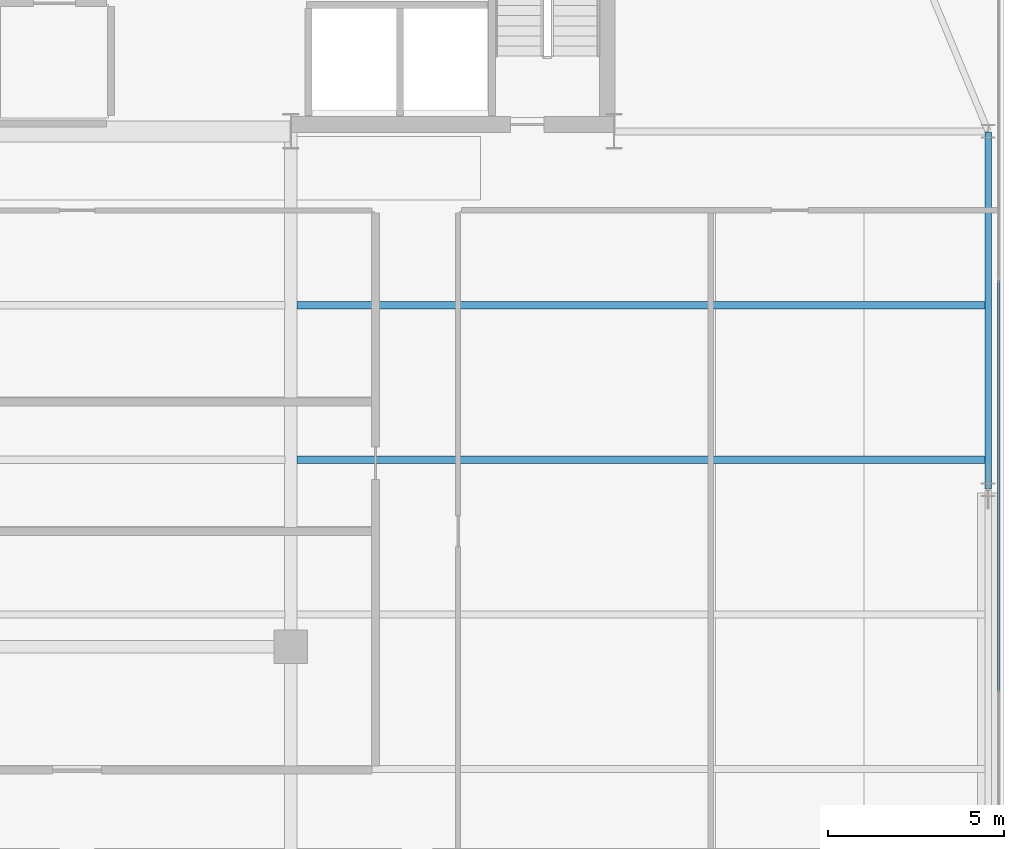
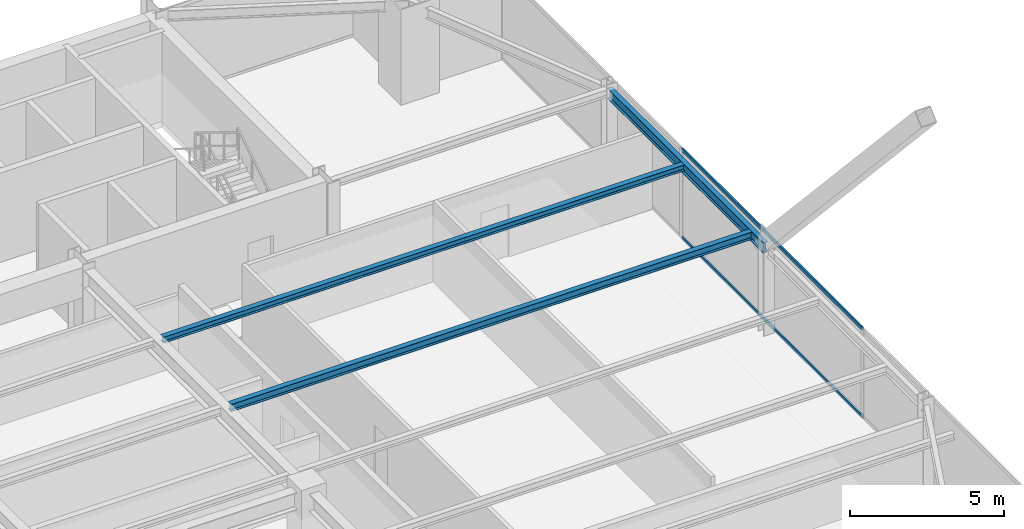
# One storey, part 19 of 37: 3 beams, 2 members, 1 element without a shape of its own.
"""IFC4 building model written with IfcOpenShell, lengths in metres."""

import ifcopenshell
import ifcopenshell.guid

model = None  # the IFC model being written
_history = None  # IfcOwnerHistory: only IFC2X3 demands one
_inside = {}  # id of a spatial element -> (the spatial element, [elements in it])
_under = {}  # id of a project, library or spatial element -> (it, [spatial elements below it])
_declared = {}  # id of a project -> (the project, [libraries it declares])
_typed = {}  # id of a type object -> (the type object, [elements of that type])
_made_of = {}  # id of a material, layer set ... -> (it, [elements and type objects made of it])


def new_model(schema):
    """Start an empty IFC model of exactly this schema.

    Asked for "IFC4X3", IfcOpenShell would pick the latest addendum, in which some entities
    have other attributes; the version numbers below select the first issue.
    IFC2X3 requires an IfcOwnerHistory on every rooted entity: one is made here for all.
    """
    global model, _history
    if schema == "IFC4X3":
        model = ifcopenshell.file(schema_version=(4, 3, 0, 0))
    else:
        model = ifcopenshell.file(schema=schema)
    _inside.clear()
    _under.clear()
    _declared.clear()
    _typed.clear()
    _made_of.clear()
    _history = None
    if model.schema == "IFC2X3":
        org = make("IfcOrganization", Name="unknown")
        user = make(
            "IfcPersonAndOrganization",
            ThePerson=make("IfcPerson", FamilyName="unknown"),
            TheOrganization=org,
        )
        app = make(
            "IfcApplication",
            ApplicationDeveloper=org,
            Version="unknown",
            ApplicationFullName="unknown",
            ApplicationIdentifier="unknown",
        )
        _history = make(
            "IfcOwnerHistory",
            OwningUser=user,
            OwningApplication=app,
            ChangeAction="ADDED",
            CreationDate=0,
        )
    return model


def make(cls, **values):
    """One entity of the class cls with the attributes given. An attribute that is None is left unset."""
    return model.create_entity(
        cls, **{name: value for name, value in values.items() if value is not None}
    )


def rooted(cls, **values):
    """An entity with a GlobalId (a new one), such as an element, a storey or a relation."""
    return make(cls, GlobalId=ifcopenshell.guid.new(), OwnerHistory=_history, **values)


def si_unit(unit_type, name, prefix=None):
    """IfcSIUnit, for example si_unit("LENGTHUNIT", "METRE", prefix="MILLI")."""
    return make("IfcSIUnit", UnitType=unit_type, Prefix=prefix, Name=name)


def assignment(units):
    """IfcUnitAssignment: the units of a project."""
    return None if units is None else make("IfcUnitAssignment", Units=units)


def point(xyz):
    """IfcCartesianPoint."""
    return None if xyz is None else make("IfcCartesianPoint", Coordinates=xyz)


def direction(xyz):
    """IfcDirection."""
    return None if xyz is None else make("IfcDirection", DirectionRatios=xyz)


def frame(location, z_axis=None, x_axis=None):
    """IfcAxis2Placement3D, a coordinate frame: its origin and axes. An axis left out is left unset."""
    return make(
        "IfcAxis2Placement3D",
        Location=point(location),
        Axis=direction(z_axis),
        RefDirection=direction(x_axis),
    )


def frame_2d(location, x_axis=None):
    """IfcAxis2Placement2D, a coordinate frame in the plane: its origin and x axis."""
    return make(
        "IfcAxis2Placement2D", Location=point(location), RefDirection=direction(x_axis)
    )


def origin():
    """The frame at (0, 0, 0) with its axes left unset."""
    return frame((0.0, 0.0, 0.0))


def origin_2d():
    """The frame at (0, 0) in the plane with its x axis left unset."""
    return frame_2d((0.0, 0.0))


def place(relative_to, where):
    """IfcLocalPlacement: puts the frame where relative to a parent placement (None: the world)."""
    return make(
        "IfcLocalPlacement", PlacementRelTo=relative_to, RelativePlacement=where
    )


def context(
    kind, dimensions, precision=None, world=None, true_north=None, identifier=None
):
    """IfcGeometricRepresentationContext, for example the 3D "Model" context."""
    return make(
        "IfcGeometricRepresentationContext",
        ContextIdentifier=identifier,
        ContextType=kind,
        CoordinateSpaceDimension=dimensions,
        Precision=precision,
        WorldCoordinateSystem=world,
        TrueNorth=true_north,
    )


def subcontext(parent, identifier, kind, view, scale=None):
    """IfcGeometricRepresentationSubContext, for example "Body" below "Model"."""
    return make(
        "IfcGeometricRepresentationSubContext",
        ContextIdentifier=identifier,
        ContextType=kind,
        ParentContext=parent,
        TargetScale=scale,
        TargetView=view,
    )


def project(units=None, contexts=None):
    """IfcProject with its units and contexts."""
    return rooted(
        "IfcProject",
        Name="project",
        RepresentationContexts=contexts,
        UnitsInContext=assignment(units),
    )


def spatial(cls, under=None, at=None, **own):
    """A site, building, storey or space (cls), placed at a placement, below another one or the project."""
    s = rooted(cls, ObjectPlacement=at, **own)
    if under is not None:
        _under.setdefault(under.id(), (under, []))[1].append(s)
    return s


def profile(cls, at=None, kind="AREA", **sizes):
    """A parametric profile (cls). Its sizes go by their IFC names, for example OverallWidth=200.0."""
    return make(cls, ProfileType=kind, Position=at, **sizes)


def hollow_rectangle(**sizes):
    """IfcRectangleHollowProfileDef."""
    return profile("IfcRectangleHollowProfileDef", **sizes)


def i_section(**sizes):
    """IfcIShapeProfileDef."""
    return profile("IfcIShapeProfileDef", **sizes)


def extrude(swept, where, along, depth):
    """IfcExtrudedAreaSolid: the profile swept, set in the frame where, extruded along a direction by depth."""
    return make(
        "IfcExtrudedAreaSolid",
        SweptArea=swept,
        Position=where,
        ExtrudedDirection=direction(along),
        Depth=depth,
    )


def shape(context_of_items, identifier, shape_type, items):
    """IfcShapeRepresentation: the items that make up one representation, for example the "Body"."""
    return make(
        "IfcShapeRepresentation",
        ContextOfItems=context_of_items,
        RepresentationIdentifier=identifier,
        RepresentationType=shape_type,
        Items=items,
    )


def source(mapping_origin, context_of_items, identifier, shape_type, items):
    """IfcRepresentationMap: a shape defined once, which mapped items show again and again."""
    return make(
        "IfcRepresentationMap",
        MappingOrigin=mapping_origin,
        MappedRepresentation=shape(context_of_items, identifier, shape_type, items),
    )


def transform(
    local_origin,
    x_axis=None,
    y_axis=None,
    z_axis=None,
    scale=None,
    scale2=None,
    scale3=None,
    uniform=True,
):
    """IfcCartesianTransformationOperator3D, or its non-uniform kind. x_axis, y_axis, z_axis: its Axis1, 2, 3."""
    if uniform:
        return make(
            "IfcCartesianTransformationOperator3D",
            Axis1=direction(x_axis),
            Axis2=direction(y_axis),
            LocalOrigin=point(local_origin),
            Scale=scale,
            Axis3=direction(z_axis),
        )
    return make(
        "IfcCartesianTransformationOperator3DnonUniform",
        Axis1=direction(x_axis),
        Axis2=direction(y_axis),
        LocalOrigin=point(local_origin),
        Scale=scale,
        Axis3=direction(z_axis),
        Scale2=scale2,
        Scale3=scale3,
    )


def mapped(mapping_source, mapping_target):
    """IfcMappedItem: shows the shape of a source again, moved by a transform."""
    return make(
        "IfcMappedItem", MappingSource=mapping_source, MappingTarget=mapping_target
    )


def material(Name=None, Category=None):
    """IfcMaterial."""
    return make("IfcMaterial", Name=Name, Category=Category)


def layer(
    of_material, thickness, ventilated=None, Name=None, Category=None, Priority=None
):
    """IfcMaterialLayer: one layer of a wall or slab, of a material (None: an air gap)."""
    return make(
        "IfcMaterialLayer",
        Material=of_material,
        LayerThickness=thickness,
        IsVentilated=ventilated,
        Name=Name,
        Category=Category,
        Priority=Priority,
    )


def layer_set(layers, Name=None):
    """IfcMaterialLayerSet."""
    return make("IfcMaterialLayerSet", MaterialLayers=layers, LayerSetName=Name)


def material_profile(
    of_material, cross_section, Name=None, Category=None, Priority=None
):
    """IfcMaterialProfile: a cross section and its material."""
    return make(
        "IfcMaterialProfile",
        Name=Name,
        Material=of_material,
        Profile=cross_section,
        Priority=Priority,
        Category=Category,
    )


def profile_set(profiles, Name=None, composite=None):
    """IfcMaterialProfileSet."""
    return make(
        "IfcMaterialProfileSet",
        Name=Name,
        MaterialProfiles=profiles,
        CompositeProfile=composite,
    )


def made_of(thing, what):
    """Note that an element or type object is made of a material, layer set ...; save() writes the relation."""
    if what is not None:
        _made_of.setdefault(what.id(), (what, []))[1].append(thing)
    return thing


def type_object(cls, material=None, **own):
    """A type object (cls), such as IfcWallType, which elements share."""
    return made_of(rooted(cls, **own), material)


def type_shapes(of_type, sources):
    """Give a type object the sources (RepresentationMaps) that its elements show as mapped items."""
    of_type.RepresentationMaps = sources


def element(
    cls,
    number,
    at=None,
    inside=None,
    cuts=None,
    type_object=None,
    material=None,
    context=None,
    identifier="Body",
    shape_type=None,
    held_by="IfcProductDefinitionShape",
    body=None,
    shapes=None,
    **own,
):
    """One element of the class cls, such as IfcWall. Its Tag is "e" and its number.

    at: its placement. inside: the storey or other place that contains it. cuts: it is an
    opening in that element (IfcRelVoidsElement). A single representation is given by context,
    identifier, shape_type and body (its items); several are given by shapes. held_by: the class
    of the entity that holds the representations. save() writes the other relations.
    """
    e = rooted(cls, Tag="e%d" % number, ObjectPlacement=at, **own)
    if body is not None:
        shapes = [shape(context, identifier, shape_type, body)]
    if shapes is not None:
        e.Representation = make(held_by, Representations=shapes)
    if inside is not None:
        _inside.setdefault(inside.id(), (inside, []))[1].append(e)
    if cuts is not None:
        rooted(
            "IfcRelVoidsElement", RelatingBuildingElement=cuts, RelatedOpeningElement=e
        )
    if type_object is not None:
        _typed.setdefault(type_object.id(), (type_object, []))[1].append(e)
    return made_of(e, material)


def aggregate(whole, parts):
    """IfcRelAggregates: a whole, such as a stair, and the parts it consists of."""
    return rooted("IfcRelAggregates", RelatingObject=whole, RelatedObjects=parts)


def save(model, path):
    """Write the relations noted so far, then the file.

    IfcRelAggregates (storeys below a building ...), IfcRelContainedInSpatialStructure (elements
    in a storey), IfcRelDefinesByType, IfcRelAssociatesMaterial and IfcRelDeclares: one each for
    every whole, place, type object, material and project.
    """
    for whole, parts in _under.values():
        aggregate(whole, parts)
    for where, things in _inside.values():
        rooted(
            "IfcRelContainedInSpatialStructure",
            RelatedElements=things,
            RelatingStructure=where,
        )
    for kind, things in _typed.values():
        rooted("IfcRelDefinesByType", RelatedObjects=things, RelatingType=kind)
    for what, things in _made_of.values():
        rooted("IfcRelAssociatesMaterial", RelatedObjects=things, RelatingMaterial=what)
    for by, libraries in _declared.values():
        rooted("IfcRelDeclares", RelatingContext=by, RelatedDefinitions=libraries)
    model.write(path)


model = new_model("IFC4")

# Units and contexts
model_context = context("Model", 3, precision=1e-05, world=origin(), true_north=direction((0.0, 1.0)))
body_context = subcontext(model_context, "Body", "Model", "MODEL_VIEW")
ifc_project = project(units=[si_unit("LENGTHUNIT", "METRE"), si_unit("AREAUNIT", "SQUARE_METRE"), si_unit("VOLUMEUNIT", "CUBIC_METRE"), si_unit("PLANEANGLEUNIT", "RADIAN"), si_unit("MASSUNIT", "GRAM", prefix="KILO")], contexts=[model_context])

# Site, building, storey
site_placement = place(None, origin())
site = spatial("IfcSite", under=ifc_project, at=site_placement, CompositionType="ELEMENT")
building_placement = place(site_placement, origin())
building = spatial("IfcBuilding", under=site, at=building_placement, Name="Varnel Quay Broadcast Tower", CompositionType="ELEMENT")
storey_placement = place(building_placement, frame((0.0, 0.0, 125.800048828125)))
storey = spatial("IfcBuildingStorey", under=building, at=storey_placement, Name="L30", CompositionType="ELEMENT", Elevation=125.800048828125)

# Beams
ifc_material_1 = material(Name="Structural Steel CSA G40.21 350W", Category="steel")
ifc_material_profile_1 = material_profile(ifc_material_1, i_section(OverallWidth=0.180908203125, OverallDepth=0.4169921875, WebThickness=0.010986328125, FlangeThickness=0.018310546875, FilletRadius=0.011962890625, at=origin_2d()), Name="W410X85")
ifc_profile_set_1 = profile_set([ifc_material_profile_1], Name="Structural Steel CSA G40.21 350W")
beam_type_1 = type_object("IfcBeamType", Name="Beam_W410X85", PredefinedType="SPANDREL", material=ifc_profile_set_1)
shared_shape_1 = source(origin(), body_context, "Body", "SweptSolid", [
    extrude(i_section(OverallWidth=0.180908203125, OverallDepth=0.4169921875, WebThickness=0.010986328125, FlangeThickness=0.018310546875, FilletRadius=0.011962890625, at=origin_2d()), origin(), (0.0, 0.0, 1.0), 10.16015625),
])
type_shapes(beam_type_1, [shared_shape_1])
beam_1_placement = place(storey_placement, frame((63.050048828125, 25.419921875, 3.341552734375), z_axis=(0.0, 1.0, 0.0), x_axis=(-1.0, 0.0, 0.0)))
element("IfcBeam", 1, at=beam_1_placement, inside=storey, type_object=beam_type_1, Name="L30 East Spandrel TC-E2-TC-E3", PredefinedType="SPANDREL", context=body_context, shape_type="MappedRepresentation", body=[
    mapped(shared_shape_1, transform((0.0, 0.0, 0.0), x_axis=(1.0, 0.0, 0.0), y_axis=(0.0, 1.0, 0.0), z_axis=(0.0, 0.0, 1.0), scale=1.0)),
])
ifc_material_profile_2 = material_profile(ifc_material_1, i_section(OverallWidth=0.202880859375, OverallDepth=0.302978515625, WebThickness=0.007568359375, FlangeThickness=0.01318359375, FilletRadius=0.011962890625, at=origin_2d()), Name="W310X60")
ifc_profile_set_2 = profile_set([ifc_material_profile_2], Name="Structural Steel CSA G40.21 350W")
beam_type_2 = type_object("IfcBeamType", Name="Beam_W310X60", PredefinedType="JOIST", material=ifc_profile_set_2)
shared_shape_2 = source(origin(), body_context, "Body", "SweptSolid", [
    extrude(i_section(OverallWidth=0.202880859375, OverallDepth=0.302978515625, WebThickness=0.007568359375, FlangeThickness=0.01318359375, FilletRadius=0.011962890625, at=origin_2d()), origin(), (0.0, 0.0, 1.0), 19.592041015625),
])
type_shapes(beam_type_2, [shared_shape_2])
beam_2_placement = place(storey_placement, frame((43.37255859375, 26.25, 3.3984375), z_axis=(1.0, 0.0, 0.0), x_axis=(0.0, 1.0, 0.0)))
element("IfcBeam", 2, at=beam_2_placement, inside=storey, type_object=beam_type_2, Name="L30 East Floor Joist 5", PredefinedType="JOIST", context=body_context, shape_type="MappedRepresentation", body=[
    mapped(shared_shape_2, transform((0.0, 0.0, 0.0), x_axis=(1.0, 0.0, 0.0), y_axis=(0.0, 1.0, 0.0), z_axis=(0.0, 0.0, 1.0), scale=1.0)),
])
ifc_material_profile_3 = material_profile(ifc_material_1, i_section(OverallWidth=0.201904296875, OverallDepth=0.2470703125, WebThickness=0.00732421875, FlangeThickness=0.010986328125, FilletRadius=0.010986328125, at=origin_2d()), Name="W250X49")
ifc_profile_set_3 = profile_set([ifc_material_profile_3], Name="Structural Steel CSA G40.21 350W")
beam_type_3 = type_object("IfcBeamType", Name="Beam_W250X49", PredefinedType="JOIST", material=ifc_profile_set_3)
shared_shape_3 = source(origin(), body_context, "Body", "SweptSolid", [
    extrude(i_section(OverallWidth=0.201904296875, OverallDepth=0.2470703125, WebThickness=0.00732421875, FlangeThickness=0.010986328125, FilletRadius=0.010986328125, at=origin_2d()), origin(), (0.0, 0.0, 1.0), 19.592041015625),
])
type_shapes(beam_type_3, [shared_shape_3])
beam_3_placement = place(storey_placement, frame((43.37255859375, 30.64990234375, 3.426513671875), z_axis=(1.0, 0.0, 0.0), x_axis=(0.0, 1.0, 0.0)))
element("IfcBeam", 3, at=beam_3_placement, inside=storey, type_object=beam_type_3, Name="L30 East Floor Joist 6", PredefinedType="JOIST", context=body_context, shape_type="MappedRepresentation", body=[
    mapped(shared_shape_3, transform((0.0, 0.0, 0.0), x_axis=(1.0, 0.0, 0.0), y_axis=(0.0, 1.0, 0.0), z_axis=(0.0, 0.0, 1.0), scale=1.0)),
])

# Curtain wall, members
ifc_material_2 = material(Name="Anodised Bronze Aluminium 6063-T6", Category="aluminium")
ifc_layer = layer(ifc_material_2, 0.18994140625, Name="Anodised Bronze Aluminium 6063-T6")
ifc_layer_set = layer_set([ifc_layer], Name="Anodised Bronze Aluminium 6063-T6")
curtain_wall_type = type_object("IfcCurtainWallType", Name="CW_LowerTower", PredefinedType="NOTDEFINED", material=ifc_layer_set)
curtain_wall_placement = place(storey_placement, origin())
curtain_wall = element("IfcCurtainWall", 4, at=curtain_wall_placement, inside=storey, type_object=curtain_wall_type, Name="L30 East Unitised Curtain Wall", PredefinedType="NOTDEFINED")
ifc_material_profile_4 = material_profile(ifc_material_2, hollow_rectangle(XDim=0.06005859375, YDim=0.14501953125, WallThickness=0.00341796875, at=origin_2d()), Name="ALU60X145X3.5")
ifc_profile_set_4 = profile_set([ifc_material_profile_4], Name="Anodised Bronze Aluminium 6063-T6")
member_type = type_object("IfcMemberType", Name="Tran_CWS-02", PredefinedType="USERDEFINED", material=ifc_profile_set_4)
shared_shape_4 = source(origin(), body_context, "Body", "SweptSolid", [
    extrude(hollow_rectangle(XDim=0.06005859375, YDim=0.14501953125, WallThickness=0.00341796875, at=origin_2d()), origin(), (0.0, 0.0, 1.0), 11.72998046875),
])
type_shapes(member_type, [shared_shape_4])
member_1_placement = place(storey_placement, frame((63.35009765625, 19.635009765625, 0.030029296875), z_axis=(0.0, 1.0, 0.0), x_axis=(-1.0, 0.0, 0.0)))
member_1 = element("IfcMember", 5, at=member_1_placement, type_object=member_type, Name="CWS-02 transom 2.1", ObjectType="TRANSOM", PredefinedType="USERDEFINED", context=body_context, shape_type="MappedRepresentation", body=[
    mapped(shared_shape_4, transform((0.0, 0.0, 0.0), x_axis=(1.0, 0.0, 0.0), y_axis=(0.0, 1.0, 0.0), z_axis=(0.0, 0.0, 1.0), scale=1.0)),
])
member_2_placement = place(storey_placement, frame((63.35009765625, 19.635009765625, 3.52001953125), z_axis=(0.0, 1.0, 0.0), x_axis=(-1.0, 0.0, 0.0)))
member_2 = element("IfcMember", 6, at=member_2_placement, type_object=member_type, Name="CWS-02 transom 2.2", ObjectType="TRANSOM", PredefinedType="USERDEFINED", context=body_context, shape_type="MappedRepresentation", body=[
    mapped(shared_shape_4, transform((0.0, 0.0, 0.0), x_axis=(1.0, 0.0, 0.0), y_axis=(0.0, 1.0, 0.0), z_axis=(0.0, 0.0, 1.0), scale=1.0)),
])
aggregate(curtain_wall, [member_1, member_2])

save(model, "model.ifc")
